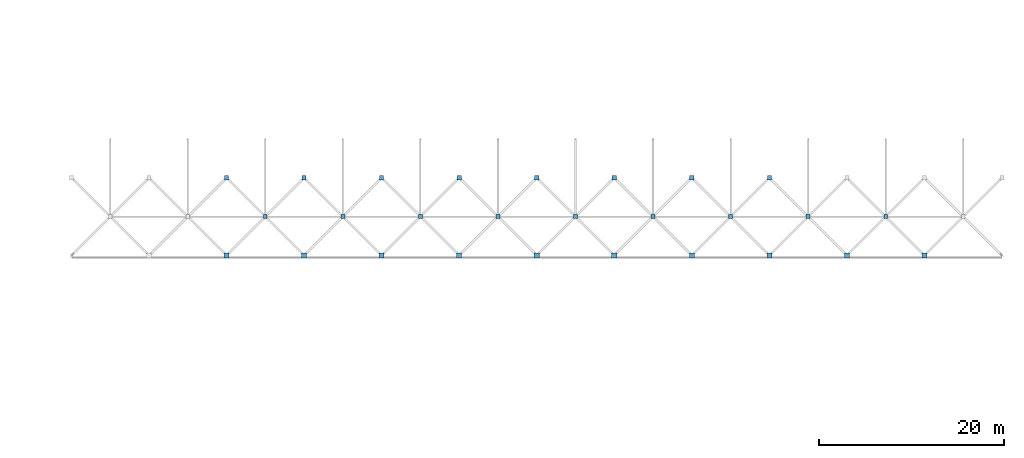
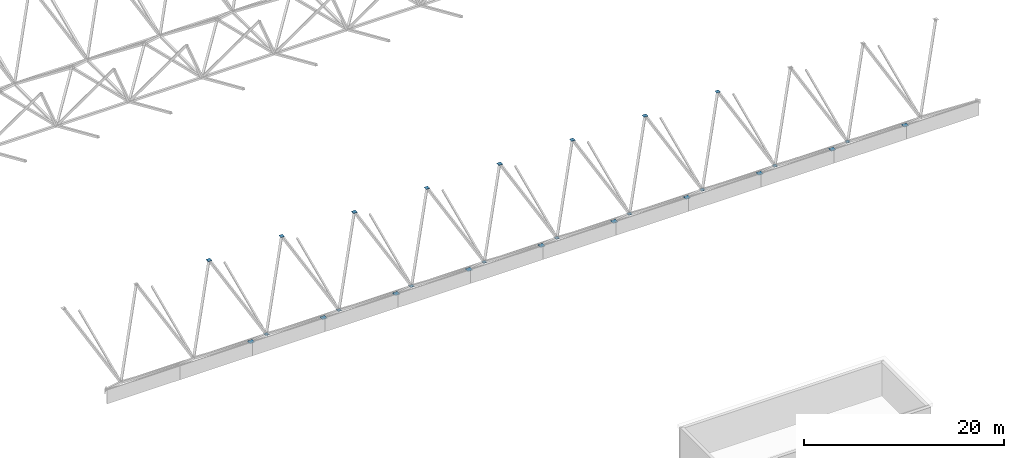
# One storey, part 61 of 85: 27 discrete accessories.
"""IFC4 building model written with IfcOpenShell, lengths in metres."""

from ifc_helpers import new_model, si_unit, direction, frame, origin, origin_2d, place, context, subcontext, project, spatial, rectangle, extrude, material, layer, layer_set, type_object, element, save


model = new_model("IFC4")

# Units and contexts
model_context = context("Model", 3, precision=1e-05, world=origin(), true_north=direction((0.0, 1.0)))
body_context = subcontext(model_context, "Body", "Model", "MODEL_VIEW")
ifc_project = project(units=[si_unit("LENGTHUNIT", "METRE"), si_unit("AREAUNIT", "SQUARE_METRE"), si_unit("VOLUMEUNIT", "CUBIC_METRE"), si_unit("PLANEANGLEUNIT", "RADIAN"), si_unit("MASSUNIT", "GRAM", prefix="KILO")], contexts=[model_context])

# Site, building, storey
site_placement = place(None, origin())
site = spatial("IfcSite", under=ifc_project, at=site_placement, CompositionType="ELEMENT")
building_placement = place(site_placement, origin())
building = spatial("IfcBuilding", under=site, at=building_placement, Name="Rain Tree Exposition and Congress Centre", CompositionType="ELEMENT")
storey_placement = place(building_placement, frame((0.0, 0.0, 15.0)))
storey = spatial("IfcBuildingStorey", under=building, at=storey_placement, Name="L03", CompositionType="ELEMENT", Elevation=15.0)

# Discrete accessories
ifc_material_1 = material(Name="Steel plate S355J2", Category="steel")
ifc_layer_1 = layer(ifc_material_1, 0.02001953125)
ifc_layer_set_1 = layer_set([ifc_layer_1], Name="Steel plate S355J2")
discrete_accessory_type_1 = type_object("IfcDiscreteAccessoryType", Name="Brace node plate 400x400x20", PredefinedType="BRACKET", material=ifc_layer_set_1)
for number, where, z_axis, x_axis, name in (
    (1, (163.800048828125, 105.0, 1.762939453125), (0.0, 0.0, 1.0), (1.0, 0.0, 0.0), "Brace node plate 400"),
    (2, (172.199951171875, 105.0, 1.762939453125), (0.0, 0.0, 1.0), (1.0, 0.0, 0.0), "Brace node plate 400"),
    (3, (180.60009765625, 105.0, 1.762939453125), (0.0, 0.0, 1.0), (1.0, 0.0, 0.0), "Brace node plate 400"),
    (4, (189.0, 105.0, 1.762939453125), (0.0, 0.0, 1.0), (1.0, 0.0, 0.0), "Brace node plate 400"),
    (5, (197.39990234375, 105.0, 1.762939453125), (0.0, 0.0, 1.0), (1.0, 0.0, 0.0), "Brace node plate 400"),
    (6, (205.800048828125, 105.0, 1.762939453125), (0.0, 0.0, 1.0), (1.0, 0.0, 0.0), "Brace node plate 400"),
    (7, (214.199951171875, 105.0, 1.762939453125), (0.0, 0.0, 1.0), (1.0, 0.0, 0.0), "Brace node plate 400"),
    (8, (222.60009765625, 105.0, 1.762939453125), (0.0, 0.0, 1.0), (1.0, 0.0, 0.0), "Brace node plate 400"),
    (9, (231.0, 105.0, 1.762939453125), (0.0, 0.0, 1.0), (1.0, 0.0, 0.0), "Brace node plate 400"),
):
    element("IfcDiscreteAccessory", number, at=place(storey_placement, frame(where, z_axis=z_axis, x_axis=x_axis)), inside=storey, type_object=discrete_accessory_type_1, Name=name, PredefinedType="BRACKET", context=body_context, shape_type="SweptSolid", body=[
        extrude(rectangle(XDim=0.39990234375, YDim=0.39990234375, at=origin_2d()), origin(), (0.0, 0.0, 1.0), 0.02001953125),
    ])
ifc_material_2 = material(Name="Steel plate S355J2", Category="steel")
ifc_layer_2 = layer(ifc_material_2, 0.02001953125)
ifc_layer_set_2 = layer_set([ifc_layer_2], Name="Steel plate S355J2")
discrete_accessory_type_2 = type_object("IfcDiscreteAccessoryType", Name="Brace node plate 450x450x20", PredefinedType="BRACKET", material=ifc_layer_set_2)
for number, where, z_axis, x_axis, name in (
    (10, (159.60009765625, 109.199951171875, 9.73388671875), (0.0, 0.0, 1.0), (1.0, 0.0, 0.0), "Brace node plate 450"),
    (11, (168.0, 109.199951171875, 9.73388671875), (0.0, 0.0, 1.0), (1.0, 0.0, 0.0), "Brace node plate 450"),
    (12, (176.39990234375, 109.199951171875, 9.73388671875), (0.0, 0.0, 1.0), (1.0, 0.0, 0.0), "Brace node plate 450"),
    (13, (184.800048828125, 109.199951171875, 9.73388671875), (0.0, 0.0, 1.0), (1.0, 0.0, 0.0), "Brace node plate 450"),
    (14, (193.199951171875, 109.199951171875, 9.73388671875), (0.0, 0.0, 1.0), (1.0, 0.0, 0.0), "Brace node plate 450"),
    (15, (201.60009765625, 109.199951171875, 9.73388671875), (0.0, 0.0, 1.0), (1.0, 0.0, 0.0), "Brace node plate 450"),
    (16, (210.0, 109.199951171875, 9.73388671875), (0.0, 0.0, 1.0), (1.0, 0.0, 0.0), "Brace node plate 450"),
    (17, (218.39990234375, 109.199951171875, 9.73388671875), (0.0, 0.0, 1.0), (1.0, 0.0, 0.0), "Brace node plate 450"),
):
    element("IfcDiscreteAccessory", number, at=place(storey_placement, frame(where, z_axis=z_axis, x_axis=x_axis)), inside=storey, type_object=discrete_accessory_type_2, Name=name, PredefinedType="BRACKET", context=body_context, shape_type="SweptSolid", body=[
        extrude(rectangle(XDim=0.449951171875, YDim=0.449951171875, at=origin_2d()), origin(), (0.0, 0.0, 1.0), 0.02001953125),
    ])
ifc_material_3 = material(Name="Steel plate S355J2", Category="steel")
ifc_layer_3 = layer(ifc_material_3, 0.02001953125)
ifc_layer_set_3 = layer_set([ifc_layer_3], Name="Steel plate S355J2")
discrete_accessory_type_3 = type_object("IfcDiscreteAccessoryType", Name="Brace node plate 550x550x20", PredefinedType="BRACKET", material=ifc_layer_set_3)
for number, where, z_axis, x_axis, name in (
    (18, (159.60009765625, 100.800048828125, 4.840087890625), (0.0, 0.0, 1.0), (1.0, 0.0, 0.0), "Brace node plate 550"),
    (19, (168.0, 100.800048828125, 4.840087890625), (0.0, 0.0, 1.0), (1.0, 0.0, 0.0), "Brace node plate 550"),
    (20, (176.39990234375, 100.800048828125, 4.840087890625), (0.0, 0.0, 1.0), (1.0, 0.0, 0.0), "Brace node plate 550"),
    (21, (184.800048828125, 100.800048828125, 4.840087890625), (0.0, 0.0, 1.0), (1.0, 0.0, 0.0), "Brace node plate 550"),
    (22, (193.199951171875, 100.800048828125, 4.840087890625), (0.0, 0.0, 1.0), (1.0, 0.0, 0.0), "Brace node plate 550"),
    (23, (201.60009765625, 100.800048828125, 4.840087890625), (0.0, 0.0, 1.0), (1.0, 0.0, 0.0), "Brace node plate 550"),
    (24, (210.0, 100.800048828125, 4.840087890625), (0.0, 0.0, 1.0), (1.0, 0.0, 0.0), "Brace node plate 550"),
    (25, (218.39990234375, 100.800048828125, 4.840087890625), (0.0, 0.0, 1.0), (1.0, 0.0, 0.0), "Brace node plate 550"),
    (26, (226.800048828125, 100.800048828125, 4.840087890625), (0.0, 0.0, 1.0), (1.0, 0.0, 0.0), "Brace node plate 550"),
    (27, (235.199951171875, 100.800048828125, 4.840087890625), (0.0, 0.0, 1.0), (1.0, 0.0, 0.0), "Brace node plate 550"),
):
    element("IfcDiscreteAccessory", number, at=place(storey_placement, frame(where, z_axis=z_axis, x_axis=x_axis)), inside=storey, type_object=discrete_accessory_type_3, Name=name, PredefinedType="BRACKET", context=body_context, shape_type="SweptSolid", body=[
        extrude(rectangle(XDim=0.550048828125, YDim=0.550048828125, at=origin_2d()), origin(), (0.0, 0.0, 1.0), 0.02001953125),
    ])

save(model, "model.ifc")
